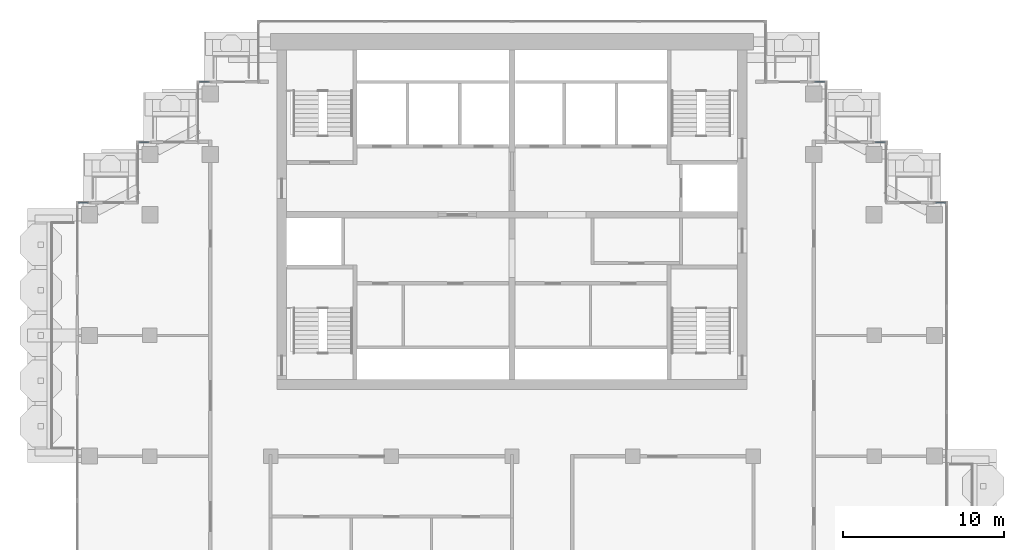
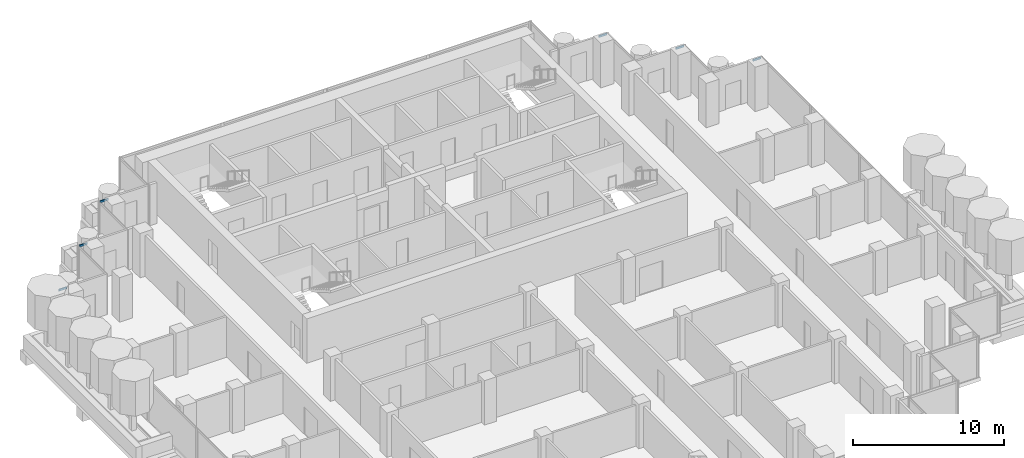
# One storey, part 7 of 18: 6 members, 6 elements without a shape of their own.
"""IFC4 building model written with IfcOpenShell, lengths in metres."""

from ifc_helpers import new_model, si_unit, direction, frame, origin, origin_2d, place, context, subcontext, project, spatial, rectangle, extrude, material, material_profile, profile_set, type_object, element, aggregate, save


model = new_model("IFC4")

# Units and contexts
model_context = context("Model", 3, precision=1e-05, world=origin(), true_north=direction((0.0, 1.0)))
body_context = subcontext(model_context, "Body", "Model", "MODEL_VIEW")
ifc_project = project(units=[si_unit("LENGTHUNIT", "METRE"), si_unit("AREAUNIT", "SQUARE_METRE"), si_unit("VOLUMEUNIT", "CUBIC_METRE"), si_unit("PLANEANGLEUNIT", "RADIAN"), si_unit("MASSUNIT", "GRAM", prefix="KILO")], contexts=[model_context])

# Site, building, storey
site_placement = place(None, origin())
site = spatial("IfcSite", under=ifc_project, at=site_placement, CompositionType="ELEMENT")
building_placement = place(site_placement, origin())
building = spatial("IfcBuilding", under=site, at=building_placement, Name="Pilkhan Gate Tower", CompositionType="ELEMENT")
storey_placement = place(building_placement, frame((0.0, 0.0, 192.300048828125)))
storey = spatial("IfcBuildingStorey", under=building, at=storey_placement, Name="L49", CompositionType="ELEMENT", Elevation=192.300048828125)

# Curtain wall, member
ifc_material_1 = material(Name="Pale anodised aluminium, clear low-iron double glazing", Category="aluminium")
curtain_wall_type = type_object("IfcCurtainWallType", Name="Office unitised curtain wall CW-O2", PredefinedType="USERDEFINED", material=ifc_material_1)
curtain_wall_1_placement = place(storey_placement, origin())
curtain_wall_1 = element("IfcCurtainWall", 1, at=curtain_wall_1_placement, inside=storey, type_object=curtain_wall_type, Name="Office unitised curtain wall CW-O2 L49 N", ObjectType="UNITISED CURTAIN WALL", PredefinedType="USERDEFINED")
ifc_material_2 = material(Name="Pale anodised aluminium", Category="aluminium")
ifc_material_profile = material_profile(ifc_material_2, rectangle(XDim=0.06494140625, YDim=0.1650390625, at=origin_2d()), Name="Transom 165x65")
ifc_profile_set = profile_set([ifc_material_profile], Name="Pale anodised aluminium")
member_type = type_object("IfcMemberType", Name="Transom CW-O2 165x65", PredefinedType="USERDEFINED", material=ifc_profile_set)
member_1_placement = place(storey_placement, frame((101.31494140625, 83.25, 3.217529296875), z_axis=(1.0, 0.0, 0.0), x_axis=(0.0, 1.0, 0.0)))
member_1 = element("IfcMember", 2, at=member_1_placement, type_object=member_type, Name="CW-O2 transom 1", ObjectType="TRANSOM", PredefinedType="USERDEFINED", context=body_context, shape_type="SweptSolid", body=[
    extrude(rectangle(XDim=0.06494140625, YDim=0.1650390625, at=origin_2d()), origin(), (0.0, 0.0, 1.0), 0.6201171875),
])
aggregate(curtain_wall_1, [member_1])

curtain_wall_2_placement = place(storey_placement, origin())
curtain_wall_2 = element("IfcCurtainWall", 3, at=curtain_wall_2_placement, inside=storey, type_object=curtain_wall_type, Name="Office unitised curtain wall CW-O2 L49 N", ObjectType="UNITISED CURTAIN WALL", PredefinedType="USERDEFINED")
member_2_placement = place(storey_placement, frame((97.56494140625, 87.0, 3.217529296875), z_axis=(1.0, 0.0, 0.0), x_axis=(0.0, 1.0, 0.0)))
member_2 = element("IfcMember", 4, at=member_2_placement, type_object=member_type, Name="CW-O2 transom 1", ObjectType="TRANSOM", PredefinedType="USERDEFINED", context=body_context, shape_type="SweptSolid", body=[
    extrude(rectangle(XDim=0.06494140625, YDim=0.1650390625, at=origin_2d()), origin(), (0.0, 0.0, 1.0), 0.6201171875),
])
aggregate(curtain_wall_2, [member_2])

curtain_wall_3_placement = place(storey_placement, origin())
curtain_wall_3 = element("IfcCurtainWall", 5, at=curtain_wall_3_placement, inside=storey, type_object=curtain_wall_type, Name="Office unitised curtain wall CW-O2 L49 N", ObjectType="UNITISED CURTAIN WALL", PredefinedType="USERDEFINED")
member_3_placement = place(storey_placement, frame((93.81494140625, 90.75, 3.217529296875), z_axis=(1.0, 0.0, 0.0), x_axis=(0.0, 1.0, 0.0)))
member_3 = element("IfcMember", 6, at=member_3_placement, type_object=member_type, Name="CW-O2 transom 1", ObjectType="TRANSOM", PredefinedType="USERDEFINED", context=body_context, shape_type="SweptSolid", body=[
    extrude(rectangle(XDim=0.06494140625, YDim=0.1650390625, at=origin_2d()), origin(), (0.0, 0.0, 1.0), 0.6201171875),
])
aggregate(curtain_wall_3, [member_3])

curtain_wall_4_placement = place(storey_placement, origin())
curtain_wall_4 = element("IfcCurtainWall", 7, at=curtain_wall_4_placement, inside=storey, type_object=curtain_wall_type, Name="Office unitised curtain wall CW-O2 L49 N", ObjectType="UNITISED CURTAIN WALL", PredefinedType="USERDEFINED")
member_4_placement = place(storey_placement, frame((55.56494140625, 90.75, 3.217529296875), z_axis=(1.0, 0.0, 0.0), x_axis=(0.0, 1.0, 0.0)))
member_4 = element("IfcMember", 8, at=member_4_placement, type_object=member_type, Name="CW-O2 transom 1", ObjectType="TRANSOM", PredefinedType="USERDEFINED", context=body_context, shape_type="SweptSolid", body=[
    extrude(rectangle(XDim=0.06494140625, YDim=0.1650390625, at=origin_2d()), origin(), (0.0, 0.0, 1.0), 0.6201171875),
])
aggregate(curtain_wall_4, [member_4])

curtain_wall_5_placement = place(storey_placement, origin())
curtain_wall_5 = element("IfcCurtainWall", 9, at=curtain_wall_5_placement, inside=storey, type_object=curtain_wall_type, Name="Office unitised curtain wall CW-O2 L49 N", ObjectType="UNITISED CURTAIN WALL", PredefinedType="USERDEFINED")
member_5_placement = place(storey_placement, frame((51.81494140625, 87.0, 3.217529296875), z_axis=(1.0, 0.0, 0.0), x_axis=(0.0, 1.0, 0.0)))
member_5 = element("IfcMember", 10, at=member_5_placement, type_object=member_type, Name="CW-O2 transom 1", ObjectType="TRANSOM", PredefinedType="USERDEFINED", context=body_context, shape_type="SweptSolid", body=[
    extrude(rectangle(XDim=0.06494140625, YDim=0.1650390625, at=origin_2d()), origin(), (0.0, 0.0, 1.0), 0.6201171875),
])
aggregate(curtain_wall_5, [member_5])

curtain_wall_6_placement = place(storey_placement, origin())
curtain_wall_6 = element("IfcCurtainWall", 11, at=curtain_wall_6_placement, inside=storey, type_object=curtain_wall_type, Name="Office unitised curtain wall CW-O2 L49 N", ObjectType="UNITISED CURTAIN WALL", PredefinedType="USERDEFINED")
member_6_placement = place(storey_placement, frame((48.06494140625, 83.25, 3.217529296875), z_axis=(1.0, 0.0, 0.0), x_axis=(0.0, 1.0, 0.0)))
member_6 = element("IfcMember", 12, at=member_6_placement, type_object=member_type, Name="CW-O2 transom 1", ObjectType="TRANSOM", PredefinedType="USERDEFINED", context=body_context, shape_type="SweptSolid", body=[
    extrude(rectangle(XDim=0.06494140625, YDim=0.1650390625, at=origin_2d()), origin(), (0.0, 0.0, 1.0), 0.6201171875),
])
aggregate(curtain_wall_6, [member_6])

save(model, "model.ifc")
